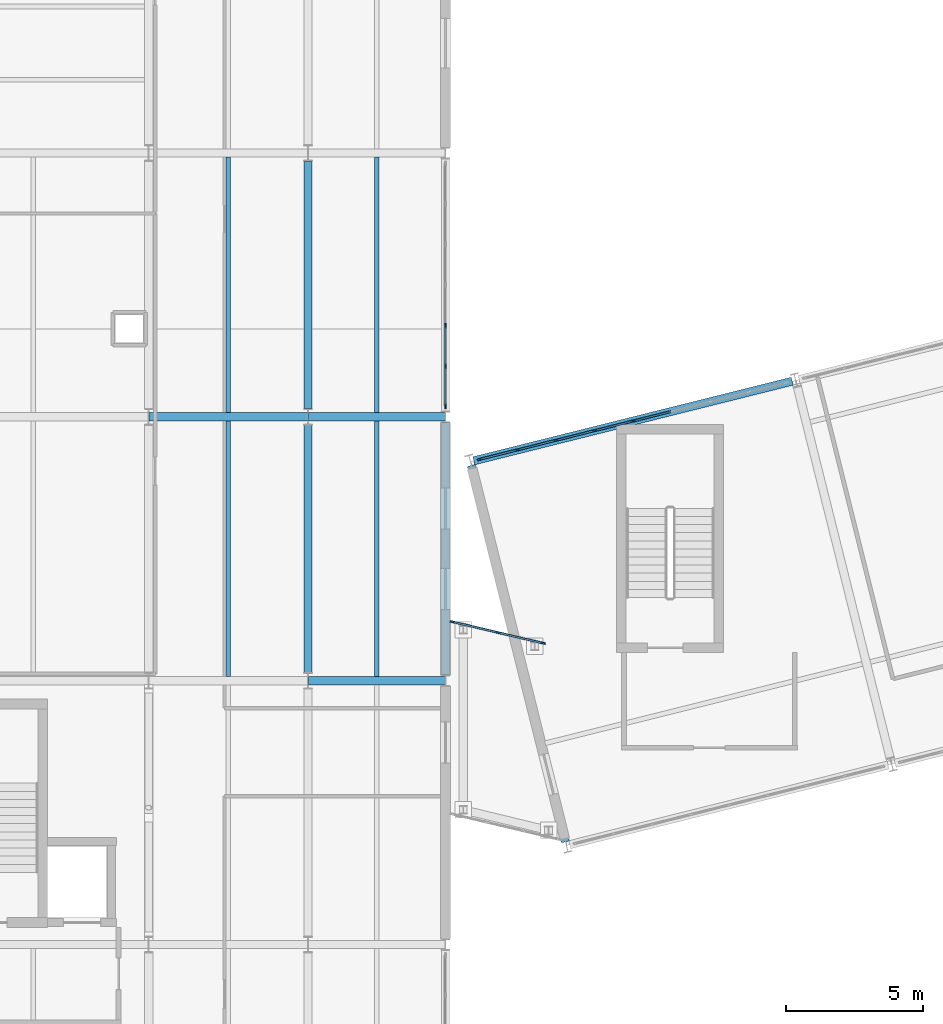
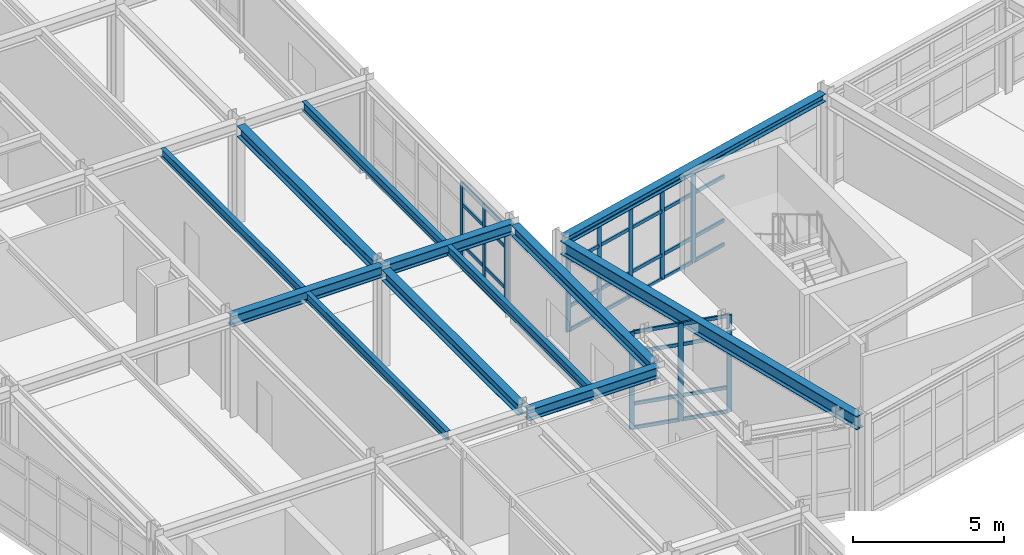
# One storey, part 25 of 99: 47 members, 12 beams, 3 elements without a shape of their own.
"""IFC4 building model written with IfcOpenShell, lengths in metres."""

from ifc_helpers import new_model, si_unit, direction, frame, origin, origin_2d, place, context, subcontext, project, spatial, rectangle, i_section, extrude, material, layer, layer_set, material_profile, profile_set, type_object, element, aggregate, save


model = new_model("IFC4")

# Units and contexts
model_context = context("Model", 3, precision=1e-05, world=origin(), true_north=direction((0.0, 1.0)))
body_context = subcontext(model_context, "Body", "Model", "MODEL_VIEW")
ifc_project = project(units=[si_unit("LENGTHUNIT", "METRE"), si_unit("AREAUNIT", "SQUARE_METRE"), si_unit("VOLUMEUNIT", "CUBIC_METRE"), si_unit("PLANEANGLEUNIT", "RADIAN"), si_unit("MASSUNIT", "GRAM", prefix="KILO")], contexts=[model_context])

# Site, building, storey
site_placement = place(None, origin())
site = spatial("IfcSite", under=ifc_project, at=site_placement, CompositionType="ELEMENT")
building_placement = place(site_placement, origin())
building = spatial("IfcBuilding", under=site, at=building_placement, Name="Nordkorset Police Headquarters", CompositionType="ELEMENT")
storey_placement = place(building_placement, frame((0.0, 0.0, 5.25)))
storey = spatial("IfcBuildingStorey", under=building, at=storey_placement, Name="L01", CompositionType="ELEMENT", Elevation=5.25)

# Beams
ifc_material_1 = material(Name="Steel S355J2", Category="steel")
ifc_material_profile_1 = material_profile(ifc_material_1, i_section(OverallWidth=0.169921875, OverallDepth=0.360107421875, WebThickness=0.008056640625, FlangeThickness=0.0126953125, FilletRadius=0.01806640625, at=origin_2d()), Name="IPE 360")
ifc_profile_set_1 = profile_set([ifc_material_profile_1], Name="Steel S355J2")
beam_type_1 = type_object("IfcBeamType", Name="Beam_IPE_360", PredefinedType="BEAM", material=ifc_profile_set_1)
for number, where, z_axis, x_axis, name in (
    (1, (11.300048828125, 48.14990234375, 3.780029296875), (0.0, 1.0, 0.0), (-1.0, 0.0, 0.0), "Composite Floor Beam V3 L01 1-2-1"),
    (2, (11.300048828125, 57.75, 3.780029296875), (0.0, 1.0, 0.0), (-1.0, 0.0, 0.0), "Composite Floor Beam V3 L01 1-3-1"),
    (3, (16.699951171875, 48.14990234375, 3.780029296875), (0.0, 1.0, 0.0), (-1.0, 0.0, 0.0), "Composite Floor Beam V3 L01 2-2-1"),
    (4, (16.699951171875, 57.75, 3.780029296875), (0.0, 1.0, 0.0), (-1.0, 0.0, 0.0), "Composite Floor Beam V3 L01 2-3-1"),
):
    element("IfcBeam", number, at=place(storey_placement, frame(where, z_axis=z_axis, x_axis=x_axis)), inside=storey, type_object=beam_type_1, Name=name, PredefinedType="BEAM", context=body_context, shape_type="SweptSolid", body=[
        extrude(i_section(OverallWidth=0.169921875, OverallDepth=0.360107421875, WebThickness=0.008056640625, FlangeThickness=0.0126953125, FilletRadius=0.01806640625, at=origin_2d()), origin(), (0.0, 0.0, 1.0), 9.300048828125),
    ])

# Curtain wall, members
ifc_material_2 = material(Name="Aluminium alloy AW-6060", Category="aluminium")
ifc_layer_1 = layer(ifc_material_2, 0.179931640625, Name="Aluminium alloy AW-6060")
ifc_layer_set_1 = layer_set([ifc_layer_1], Name="Aluminium alloy AW-6060")
curtain_wall_type_1 = type_object("IfcCurtainWallType", Name="CW_Unit_888x350", PredefinedType="USERDEFINED", material=ifc_layer_set_1)
curtain_wall_1_placement = place(storey_placement, origin())
curtain_wall_1 = element("IfcCurtainWall", 5, at=curtain_wall_1_placement, inside=storey, type_object=curtain_wall_type_1, Name="Unitised Curtain Wall L01 V3E-3", ObjectType="UNITISED CURTAIN WALL", PredefinedType="USERDEFINED")
ifc_material_3 = material(Name="Aluminium alloy AW-6060", Category="aluminium")
ifc_material_profile_2 = material_profile(ifc_material_3, rectangle(XDim=0.06494140625, YDim=0.179931640625, at=origin_2d()), Name="ALU MULL 65x180")
ifc_profile_set_2 = profile_set([ifc_material_profile_2], Name="Aluminium alloy AW-6060")
member_type_1 = type_object("IfcMemberType", Name="CW_Mullion_65x180", PredefinedType="MULLION", material=ifc_profile_set_2)
member_1_placement = place(storey_placement, frame((19.199951171875, 57.992431640625, 0.0), z_axis=(0.0, 0.0, 1.0), x_axis=(-1.0, 0.0, 0.0)))
member_1 = element("IfcMember", 6, at=member_1_placement, type_object=member_type_1, Name="CW-95 mullion 1", PredefinedType="MULLION", context=body_context, shape_type="SweptSolid", body=[
    extrude(rectangle(XDim=0.06494140625, YDim=0.179931640625, at=origin_2d()), origin(), (0.0, 0.0, 1.0), 3.5),
])
member_2_placement = place(storey_placement, frame((19.199951171875, 59.43994140625, 0.0), z_axis=(0.0, 0.0, 1.0), x_axis=(-1.0, 0.0, 0.0)))
member_2 = element("IfcMember", 7, at=member_2_placement, type_object=member_type_1, Name="CW-95 mullion 2", PredefinedType="MULLION", context=body_context, shape_type="SweptSolid", body=[
    extrude(rectangle(XDim=0.06494140625, YDim=0.179931640625, at=origin_2d()), origin(), (0.0, 0.0, 1.0), 3.5),
])
member_3_placement = place(storey_placement, frame((19.199951171875, 60.919921875, 0.0), z_axis=(0.0, 0.0, 1.0), x_axis=(-1.0, 0.0, 0.0)))
member_3 = element("IfcMember", 8, at=member_3_placement, type_object=member_type_1, Name="CW-95 mullion 3", PredefinedType="MULLION", context=body_context, shape_type="SweptSolid", body=[
    extrude(rectangle(XDim=0.06494140625, YDim=0.179931640625, at=origin_2d()), origin(), (0.0, 0.0, 1.0), 3.5),
])

ifc_material_4 = material(Name="Aluminium alloy AW-6060", Category="aluminium")
ifc_layer_2 = layer(ifc_material_4, 0.179931640625, Name="Aluminium alloy AW-6060")
ifc_layer_set_2 = layer_set([ifc_layer_2], Name="Aluminium alloy AW-6060")
curtain_wall_type_2 = type_object("IfcCurtainWallType", Name="CW_Unit_1156x363", PredefinedType="USERDEFINED", material=ifc_layer_set_2)
curtain_wall_2_placement = place(storey_placement, origin())
curtain_wall_2 = element("IfcCurtainWall", 9, at=curtain_wall_2_placement, inside=storey, type_object=curtain_wall_type_2, Name="Unitised Curtain Wall L01 V4N-0", ObjectType="UNITISED CURTAIN WALL", PredefinedType="USERDEFINED")
member_4_placement = place(storey_placement, frame((20.449462890625, 56.0556640625, 0.0), z_axis=(0.0, 0.0, 1.0), x_axis=(-0.242536235663, 0.970142347489, 0.0)))
member_4 = element("IfcMember", 10, at=member_4_placement, type_object=member_type_1, Name="CW-01 mullion 1", PredefinedType="MULLION", context=body_context, shape_type="SweptSolid", body=[
    extrude(rectangle(XDim=0.06494140625, YDim=0.179931640625, at=origin_2d()), origin(), (0.0, 0.0, 1.0), 3.6298828125),
])
member_5_placement = place(storey_placement, frame((21.81982421875, 56.398193359375, 0.0), z_axis=(0.0, 0.0, 1.0), x_axis=(-0.242536235663, 0.970142347489, 0.0)))
member_5 = element("IfcMember", 11, at=member_5_placement, type_object=member_type_1, Name="CW-01 mullion 2", PredefinedType="MULLION", context=body_context, shape_type="SweptSolid", body=[
    extrude(rectangle(XDim=0.06494140625, YDim=0.179931640625, at=origin_2d()), origin(), (0.0, 0.0, 1.0), 3.6298828125),
])
member_6_placement = place(storey_placement, frame((23.2216796875, 56.74853515625, 0.0), z_axis=(0.0, 0.0, 1.0), x_axis=(-0.242536235663, 0.970142347489, 0.0)))
member_6 = element("IfcMember", 12, at=member_6_placement, type_object=member_type_1, Name="CW-01 mullion 3", PredefinedType="MULLION", context=body_context, shape_type="SweptSolid", body=[
    extrude(rectangle(XDim=0.06494140625, YDim=0.179931640625, at=origin_2d()), origin(), (0.0, 0.0, 1.0), 3.6298828125),
])
member_7_placement = place(storey_placement, frame((24.62353515625, 57.09912109375, 0.0), z_axis=(0.0, 0.0, 1.0), x_axis=(-0.242536235663, 0.970142347489, 0.0)))
member_7 = element("IfcMember", 13, at=member_7_placement, type_object=member_type_1, Name="CW-01 mullion 4", PredefinedType="MULLION", context=body_context, shape_type="SweptSolid", body=[
    extrude(rectangle(XDim=0.06494140625, YDim=0.179931640625, at=origin_2d()), origin(), (0.0, 0.0, 1.0), 3.6298828125),
])
member_8_placement = place(storey_placement, frame((26.025390625, 57.449462890625, 0.0), z_axis=(0.0, 0.0, 1.0), x_axis=(-0.242536235663, 0.970142347489, 0.0)))
member_8 = element("IfcMember", 14, at=member_8_placement, type_object=member_type_1, Name="CW-01 mullion 5", PredefinedType="MULLION", context=body_context, shape_type="SweptSolid", body=[
    extrude(rectangle(XDim=0.06494140625, YDim=0.179931640625, at=origin_2d()), origin(), (0.0, 0.0, 1.0), 3.6298828125),
])

ifc_material_5 = material(Name="Aluminium alloy AW-6060", Category="aluminium")
ifc_layer_3 = layer(ifc_material_5, 0.179931640625, Name="Aluminium alloy AW-6060")
ifc_layer_set_3 = layer_set([ifc_layer_3], Name="Aluminium alloy AW-6060")
curtain_wall_type_3 = type_object("IfcCurtainWallType", Name="CW_Unit_344x392", PredefinedType="USERDEFINED", material=ifc_layer_set_3)
curtain_wall_3_placement = place(storey_placement, origin())
curtain_wall_3 = element("IfcCurtainWall", 15, at=curtain_wall_3_placement, inside=storey, type_object=curtain_wall_type_3, Name="Unitised Curtain Wall L01 BRGW-N", ObjectType="UNITISED CURTAIN WALL", PredefinedType="USERDEFINED")
member_9_placement = place(storey_placement, frame((19.456787109375, 50.141357421875, 0.0), z_axis=(0.0, 0.0, 1.0), x_axis=(0.228892896387, 0.973451612554, 0.0)))
member_9 = element("IfcMember", 16, at=member_9_placement, type_object=member_type_1, Name="CW-51 mullion 1", PredefinedType="MULLION", context=body_context, shape_type="SweptSolid", body=[
    extrude(rectangle(XDim=0.06494140625, YDim=0.179931640625, at=origin_2d()), origin(), (0.0, 0.0, 1.0), 3.919921875),
])
member_10_placement = place(storey_placement, frame((21.10009765625, 49.7548828125, 0.0), z_axis=(0.0, 0.0, 1.0), x_axis=(0.228892896387, 0.973451612554, 0.0)))
member_10 = element("IfcMember", 17, at=member_10_placement, type_object=member_type_1, Name="CW-51 mullion 2", PredefinedType="MULLION", context=body_context, shape_type="SweptSolid", body=[
    extrude(rectangle(XDim=0.06494140625, YDim=0.179931640625, at=origin_2d()), origin(), (0.0, 0.0, 1.0), 3.919921875),
])
member_11_placement = place(storey_placement, frame((22.7431640625, 49.36865234375, 0.0), z_axis=(0.0, 0.0, 1.0), x_axis=(0.228892896387, 0.973451612554, 0.0)))
member_11 = element("IfcMember", 18, at=member_11_placement, type_object=member_type_1, Name="CW-51 mullion 3", PredefinedType="MULLION", context=body_context, shape_type="SweptSolid", body=[
    extrude(rectangle(XDim=0.06494140625, YDim=0.179931640625, at=origin_2d()), origin(), (0.0, 0.0, 1.0), 3.919921875),
])

# Member
ifc_material_6 = material(Name="Aluminium alloy AW-6060", Category="aluminium")
ifc_material_profile_3 = material_profile(ifc_material_6, rectangle(XDim=0.06494140625, YDim=0.139892578125, at=origin_2d()), Name="ALU TRAN 65x140")
ifc_profile_set_3 = profile_set([ifc_material_profile_3], Name="Aluminium alloy AW-6060")
member_type_2 = type_object("IfcMemberType", Name="CW_Transom_65x140", PredefinedType="USERDEFINED", material=ifc_profile_set_3)
member_12_placement = place(storey_placement, frame((19.199951171875, 58.02490234375, 0.032470703125), z_axis=(0.0, 1.0, 0.0), x_axis=(-1.0, 0.0, 0.0)))
member_12 = element("IfcMember", 19, at=member_12_placement, type_object=member_type_2, Name="CW-95 transom 1.1", ObjectType="TRANSOM", PredefinedType="USERDEFINED", context=body_context, shape_type="SweptSolid", body=[
    extrude(rectangle(XDim=0.06494140625, YDim=0.139892578125, at=origin_2d()), origin(), (0.0, 0.0, 1.0), 1.382568359375),
])

member_13_placement = place(storey_placement, frame((19.199951171875, 58.02490234375, 1.0), z_axis=(0.0, 1.0, 0.0), x_axis=(-1.0, 0.0, 0.0)))
member_13 = element("IfcMember", 20, at=member_13_placement, type_object=member_type_2, Name="CW-95 transom 1.2", ObjectType="TRANSOM", PredefinedType="USERDEFINED", context=body_context, shape_type="SweptSolid", body=[
    extrude(rectangle(XDim=0.06494140625, YDim=0.139892578125, at=origin_2d()), origin(), (0.0, 0.0, 1.0), 1.382568359375),
])

member_14_placement = place(storey_placement, frame((19.199951171875, 58.02490234375, 2.64990234375), z_axis=(0.0, 1.0, 0.0), x_axis=(-1.0, 0.0, 0.0)))
member_14 = element("IfcMember", 21, at=member_14_placement, type_object=member_type_2, Name="CW-95 transom 1.3", ObjectType="TRANSOM", PredefinedType="USERDEFINED", context=body_context, shape_type="SweptSolid", body=[
    extrude(rectangle(XDim=0.06494140625, YDim=0.139892578125, at=origin_2d()), origin(), (0.0, 0.0, 1.0), 1.382568359375),
])

member_15_placement = place(storey_placement, frame((19.199951171875, 58.02490234375, 3.467529296875), z_axis=(0.0, 1.0, 0.0), x_axis=(-1.0, 0.0, 0.0)))
member_15 = element("IfcMember", 22, at=member_15_placement, type_object=member_type_2, Name="CW-95 transom 1.4", ObjectType="TRANSOM", PredefinedType="USERDEFINED", context=body_context, shape_type="SweptSolid", body=[
    extrude(rectangle(XDim=0.06494140625, YDim=0.139892578125, at=origin_2d()), origin(), (0.0, 0.0, 1.0), 1.382568359375),
])

member_16_placement = place(storey_placement, frame((19.199951171875, 59.472412109375, 0.032470703125), z_axis=(0.0, 1.0, 0.0), x_axis=(-1.0, 0.0, 0.0)))
member_16 = element("IfcMember", 23, at=member_16_placement, type_object=member_type_2, Name="CW-95 transom 2.1", ObjectType="TRANSOM", PredefinedType="USERDEFINED", context=body_context, shape_type="SweptSolid", body=[
    extrude(rectangle(XDim=0.06494140625, YDim=0.139892578125, at=origin_2d()), origin(), (0.0, 0.0, 1.0), 1.4150390625),
])

member_17_placement = place(storey_placement, frame((19.199951171875, 59.472412109375, 1.0), z_axis=(0.0, 1.0, 0.0), x_axis=(-1.0, 0.0, 0.0)))
member_17 = element("IfcMember", 24, at=member_17_placement, type_object=member_type_2, Name="CW-95 transom 2.2", ObjectType="TRANSOM", PredefinedType="USERDEFINED", context=body_context, shape_type="SweptSolid", body=[
    extrude(rectangle(XDim=0.06494140625, YDim=0.139892578125, at=origin_2d()), origin(), (0.0, 0.0, 1.0), 1.4150390625),
])

member_18_placement = place(storey_placement, frame((19.199951171875, 59.472412109375, 2.64990234375), z_axis=(0.0, 1.0, 0.0), x_axis=(-1.0, 0.0, 0.0)))
member_18 = element("IfcMember", 25, at=member_18_placement, type_object=member_type_2, Name="CW-95 transom 2.3", ObjectType="TRANSOM", PredefinedType="USERDEFINED", context=body_context, shape_type="SweptSolid", body=[
    extrude(rectangle(XDim=0.06494140625, YDim=0.139892578125, at=origin_2d()), origin(), (0.0, 0.0, 1.0), 1.4150390625),
])

member_19_placement = place(storey_placement, frame((19.199951171875, 59.472412109375, 3.467529296875), z_axis=(0.0, 1.0, 0.0), x_axis=(-1.0, 0.0, 0.0)))
member_19 = element("IfcMember", 26, at=member_19_placement, type_object=member_type_2, Name="CW-95 transom 2.4", ObjectType="TRANSOM", PredefinedType="USERDEFINED", context=body_context, shape_type="SweptSolid", body=[
    extrude(rectangle(XDim=0.06494140625, YDim=0.139892578125, at=origin_2d()), origin(), (0.0, 0.0, 1.0), 1.4150390625),
])

aggregate(curtain_wall_1, [member_1, member_2, member_3, member_12, member_13, member_14, member_15, member_16, member_17, member_18, member_19])

member_20_placement = place(storey_placement, frame((20.48095703125, 56.0634765625, 0.032470703125), z_axis=(0.970174463193, 0.242407737022, 0.0), x_axis=(-0.242407737022, 0.970174463193, 0.0)))
member_20 = element("IfcMember", 27, at=member_20_placement, type_object=member_type_2, Name="CW-01 transom 1.1", ObjectType="TRANSOM", PredefinedType="USERDEFINED", context=body_context, shape_type="SweptSolid", body=[
    extrude(rectangle(XDim=0.06494140625, YDim=0.139892578125, at=origin_2d()), origin(), (0.0, 0.0, 1.0), 1.34765625),
])

member_21_placement = place(storey_placement, frame((20.48095703125, 56.0634765625, 1.0), z_axis=(0.970174463193, 0.242407737022, 0.0), x_axis=(-0.242407737022, 0.970174463193, 0.0)))
member_21 = element("IfcMember", 28, at=member_21_placement, type_object=member_type_2, Name="CW-01 transom 1.2", ObjectType="TRANSOM", PredefinedType="USERDEFINED", context=body_context, shape_type="SweptSolid", body=[
    extrude(rectangle(XDim=0.06494140625, YDim=0.139892578125, at=origin_2d()), origin(), (0.0, 0.0, 1.0), 1.34765625),
])

member_22_placement = place(storey_placement, frame((20.48095703125, 56.0634765625, 2.780029296875), z_axis=(0.970174463193, 0.242407737022, 0.0), x_axis=(-0.242407737022, 0.970174463193, 0.0)))
member_22 = element("IfcMember", 29, at=member_22_placement, type_object=member_type_2, Name="CW-01 transom 1.3", ObjectType="TRANSOM", PredefinedType="USERDEFINED", context=body_context, shape_type="SweptSolid", body=[
    extrude(rectangle(XDim=0.06494140625, YDim=0.139892578125, at=origin_2d()), origin(), (0.0, 0.0, 1.0), 1.34765625),
])

member_23_placement = place(storey_placement, frame((20.48095703125, 56.0634765625, 3.597412109375), z_axis=(0.970174463193, 0.242407737022, 0.0), x_axis=(-0.242407737022, 0.970174463193, 0.0)))
member_23 = element("IfcMember", 30, at=member_23_placement, type_object=member_type_2, Name="CW-01 transom 1.4", ObjectType="TRANSOM", PredefinedType="USERDEFINED", context=body_context, shape_type="SweptSolid", body=[
    extrude(rectangle(XDim=0.06494140625, YDim=0.139892578125, at=origin_2d()), origin(), (0.0, 0.0, 1.0), 1.34765625),
])

member_24_placement = place(storey_placement, frame((21.851318359375, 56.406005859375, 0.032470703125), z_axis=(0.970142500145, 0.242535625036, 0.0), x_axis=(-0.242535625036, 0.970142500145, 0.0)))
member_24 = element("IfcMember", 31, at=member_24_placement, type_object=member_type_2, Name="CW-01 transom 2.1", ObjectType="TRANSOM", PredefinedType="USERDEFINED", context=body_context, shape_type="SweptSolid", body=[
    extrude(rectangle(XDim=0.06494140625, YDim=0.139892578125, at=origin_2d()), origin(), (0.0, 0.0, 1.0), 1.380126953125),
])

member_25_placement = place(storey_placement, frame((21.851318359375, 56.406005859375, 1.0), z_axis=(0.970142500145, 0.242535625036, 0.0), x_axis=(-0.242535625036, 0.970142500145, 0.0)))
member_25 = element("IfcMember", 32, at=member_25_placement, type_object=member_type_2, Name="CW-01 transom 2.2", ObjectType="TRANSOM", PredefinedType="USERDEFINED", context=body_context, shape_type="SweptSolid", body=[
    extrude(rectangle(XDim=0.06494140625, YDim=0.139892578125, at=origin_2d()), origin(), (0.0, 0.0, 1.0), 1.380126953125),
])

member_26_placement = place(storey_placement, frame((21.851318359375, 56.406005859375, 2.780029296875), z_axis=(0.970142500145, 0.242535625036, 0.0), x_axis=(-0.242535625036, 0.970142500145, 0.0)))
member_26 = element("IfcMember", 33, at=member_26_placement, type_object=member_type_2, Name="CW-01 transom 2.3", ObjectType="TRANSOM", PredefinedType="USERDEFINED", context=body_context, shape_type="SweptSolid", body=[
    extrude(rectangle(XDim=0.06494140625, YDim=0.139892578125, at=origin_2d()), origin(), (0.0, 0.0, 1.0), 1.380126953125),
])

member_27_placement = place(storey_placement, frame((21.851318359375, 56.406005859375, 3.597412109375), z_axis=(0.970142500145, 0.242535625036, 0.0), x_axis=(-0.242535625036, 0.970142500145, 0.0)))
member_27 = element("IfcMember", 34, at=member_27_placement, type_object=member_type_2, Name="CW-01 transom 2.4", ObjectType="TRANSOM", PredefinedType="USERDEFINED", context=body_context, shape_type="SweptSolid", body=[
    extrude(rectangle(XDim=0.06494140625, YDim=0.139892578125, at=origin_2d()), origin(), (0.0, 0.0, 1.0), 1.380126953125),
])

member_28_placement = place(storey_placement, frame((23.253173828125, 56.756591796875, 0.032470703125), z_axis=(0.970184112154, 0.242369116275, 0.0), x_axis=(-0.242369116275, 0.970184112154, 0.0)))
member_28 = element("IfcMember", 35, at=member_28_placement, type_object=member_type_2, Name="CW-01 transom 3.1", ObjectType="TRANSOM", PredefinedType="USERDEFINED", context=body_context, shape_type="SweptSolid", body=[
    extrude(rectangle(XDim=0.06494140625, YDim=0.139892578125, at=origin_2d()), origin(), (0.0, 0.0, 1.0), 1.380126953125),
])

member_29_placement = place(storey_placement, frame((23.253173828125, 56.756591796875, 1.0), z_axis=(0.970184112154, 0.242369116275, 0.0), x_axis=(-0.242369116275, 0.970184112154, 0.0)))
member_29 = element("IfcMember", 36, at=member_29_placement, type_object=member_type_2, Name="CW-01 transom 3.2", ObjectType="TRANSOM", PredefinedType="USERDEFINED", context=body_context, shape_type="SweptSolid", body=[
    extrude(rectangle(XDim=0.06494140625, YDim=0.139892578125, at=origin_2d()), origin(), (0.0, 0.0, 1.0), 1.380126953125),
])

member_30_placement = place(storey_placement, frame((23.253173828125, 56.756591796875, 2.780029296875), z_axis=(0.970184112154, 0.242369116275, 0.0), x_axis=(-0.242369116275, 0.970184112154, 0.0)))
member_30 = element("IfcMember", 37, at=member_30_placement, type_object=member_type_2, Name="CW-01 transom 3.3", ObjectType="TRANSOM", PredefinedType="USERDEFINED", context=body_context, shape_type="SweptSolid", body=[
    extrude(rectangle(XDim=0.06494140625, YDim=0.139892578125, at=origin_2d()), origin(), (0.0, 0.0, 1.0), 1.380126953125),
])

member_31_placement = place(storey_placement, frame((23.253173828125, 56.756591796875, 3.597412109375), z_axis=(0.970184112154, 0.242369116275, 0.0), x_axis=(-0.242369116275, 0.970184112154, 0.0)))
member_31 = element("IfcMember", 38, at=member_31_placement, type_object=member_type_2, Name="CW-01 transom 3.4", ObjectType="TRANSOM", PredefinedType="USERDEFINED", context=body_context, shape_type="SweptSolid", body=[
    extrude(rectangle(XDim=0.06494140625, YDim=0.139892578125, at=origin_2d()), origin(), (0.0, 0.0, 1.0), 1.380126953125),
])

member_32_placement = place(storey_placement, frame((24.655029296875, 57.10693359375, 0.032470703125), z_axis=(0.970142500145, 0.242535625036, 0.0), x_axis=(-0.242535625036, 0.970142500145, 0.0)))
member_32 = element("IfcMember", 39, at=member_32_placement, type_object=member_type_2, Name="CW-01 transom 4.1", ObjectType="TRANSOM", PredefinedType="USERDEFINED", context=body_context, shape_type="SweptSolid", body=[
    extrude(rectangle(XDim=0.06494140625, YDim=0.139892578125, at=origin_2d()), origin(), (0.0, 0.0, 1.0), 1.380126953125),
])

member_33_placement = place(storey_placement, frame((24.655029296875, 57.10693359375, 1.0), z_axis=(0.970142500145, 0.242535625036, 0.0), x_axis=(-0.242535625036, 0.970142500145, 0.0)))
member_33 = element("IfcMember", 40, at=member_33_placement, type_object=member_type_2, Name="CW-01 transom 4.2", ObjectType="TRANSOM", PredefinedType="USERDEFINED", context=body_context, shape_type="SweptSolid", body=[
    extrude(rectangle(XDim=0.06494140625, YDim=0.139892578125, at=origin_2d()), origin(), (0.0, 0.0, 1.0), 1.380126953125),
])

member_34_placement = place(storey_placement, frame((24.655029296875, 57.10693359375, 2.780029296875), z_axis=(0.970142500145, 0.242535625036, 0.0), x_axis=(-0.242535625036, 0.970142500145, 0.0)))
member_34 = element("IfcMember", 41, at=member_34_placement, type_object=member_type_2, Name="CW-01 transom 4.3", ObjectType="TRANSOM", PredefinedType="USERDEFINED", context=body_context, shape_type="SweptSolid", body=[
    extrude(rectangle(XDim=0.06494140625, YDim=0.139892578125, at=origin_2d()), origin(), (0.0, 0.0, 1.0), 1.380126953125),
])

member_35_placement = place(storey_placement, frame((24.655029296875, 57.10693359375, 3.597412109375), z_axis=(0.970142500145, 0.242535625036, 0.0), x_axis=(-0.242535625036, 0.970142500145, 0.0)))
member_35 = element("IfcMember", 42, at=member_35_placement, type_object=member_type_2, Name="CW-01 transom 4.4", ObjectType="TRANSOM", PredefinedType="USERDEFINED", context=body_context, shape_type="SweptSolid", body=[
    extrude(rectangle(XDim=0.06494140625, YDim=0.139892578125, at=origin_2d()), origin(), (0.0, 0.0, 1.0), 1.380126953125),
])

member_36_placement = place(storey_placement, frame((26.056884765625, 57.45751953125, 0.032470703125), z_axis=(0.970184112154, 0.242369116275, 0.0), x_axis=(-0.242369116275, 0.970184112154, 0.0)))
member_36 = element("IfcMember", 43, at=member_36_placement, type_object=member_type_2, Name="CW-01 transom 5.1", ObjectType="TRANSOM", PredefinedType="USERDEFINED", context=body_context, shape_type="SweptSolid", body=[
    extrude(rectangle(XDim=0.06494140625, YDim=0.139892578125, at=origin_2d()), origin(), (0.0, 0.0, 1.0), 1.380126953125),
])

member_37_placement = place(storey_placement, frame((26.056884765625, 57.45751953125, 1.0), z_axis=(0.970184112154, 0.242369116275, 0.0), x_axis=(-0.242369116275, 0.970184112154, 0.0)))
member_37 = element("IfcMember", 44, at=member_37_placement, type_object=member_type_2, Name="CW-01 transom 5.2", ObjectType="TRANSOM", PredefinedType="USERDEFINED", context=body_context, shape_type="SweptSolid", body=[
    extrude(rectangle(XDim=0.06494140625, YDim=0.139892578125, at=origin_2d()), origin(), (0.0, 0.0, 1.0), 1.380126953125),
])

member_38_placement = place(storey_placement, frame((26.056884765625, 57.45751953125, 2.780029296875), z_axis=(0.970184112154, 0.242369116275, 0.0), x_axis=(-0.242369116275, 0.970184112154, 0.0)))
member_38 = element("IfcMember", 45, at=member_38_placement, type_object=member_type_2, Name="CW-01 transom 5.3", ObjectType="TRANSOM", PredefinedType="USERDEFINED", context=body_context, shape_type="SweptSolid", body=[
    extrude(rectangle(XDim=0.06494140625, YDim=0.139892578125, at=origin_2d()), origin(), (0.0, 0.0, 1.0), 1.380126953125),
])

member_39_placement = place(storey_placement, frame((26.056884765625, 57.45751953125, 3.597412109375), z_axis=(0.970184112154, 0.242369116275, 0.0), x_axis=(-0.242369116275, 0.970184112154, 0.0)))
member_39 = element("IfcMember", 46, at=member_39_placement, type_object=member_type_2, Name="CW-01 transom 5.4", ObjectType="TRANSOM", PredefinedType="USERDEFINED", context=body_context, shape_type="SweptSolid", body=[
    extrude(rectangle(XDim=0.06494140625, YDim=0.139892578125, at=origin_2d()), origin(), (0.0, 0.0, 1.0), 1.380126953125),
])

aggregate(curtain_wall_2, [member_4, member_5, member_6, member_7, member_8, member_20, member_21, member_22, member_23, member_24, member_25, member_26, member_27, member_28, member_29, member_30, member_31, member_32, member_33, member_34, member_35, member_36, member_37, member_38, member_39])

member_40_placement = place(storey_placement, frame((19.488525390625, 50.134033203125, 0.032470703125), z_axis=(0.973436893335, -0.228955486271, 0.0), x_axis=(0.228955486271, 0.973436893335, 0.0)))
member_40 = element("IfcMember", 47, at=member_40_placement, type_object=member_type_2, Name="CW-51 transom 1.1", ObjectType="TRANSOM", PredefinedType="USERDEFINED", context=body_context, shape_type="SweptSolid", body=[
    extrude(rectangle(XDim=0.06494140625, YDim=0.139892578125, at=origin_2d()), origin(), (0.0, 0.0, 1.0), 1.623046875),
])

member_41_placement = place(storey_placement, frame((19.488525390625, 50.134033203125, 1.0), z_axis=(0.973436893335, -0.228955486271, 0.0), x_axis=(0.228955486271, 0.973436893335, 0.0)))
member_41 = element("IfcMember", 48, at=member_41_placement, type_object=member_type_2, Name="CW-51 transom 1.2", ObjectType="TRANSOM", PredefinedType="USERDEFINED", context=body_context, shape_type="SweptSolid", body=[
    extrude(rectangle(XDim=0.06494140625, YDim=0.139892578125, at=origin_2d()), origin(), (0.0, 0.0, 1.0), 1.623046875),
])

member_42_placement = place(storey_placement, frame((19.488525390625, 50.134033203125, 3.070068359375), z_axis=(0.973436893335, -0.228955486271, 0.0), x_axis=(0.228955486271, 0.973436893335, 0.0)))
member_42 = element("IfcMember", 49, at=member_42_placement, type_object=member_type_2, Name="CW-51 transom 1.3", ObjectType="TRANSOM", PredefinedType="USERDEFINED", context=body_context, shape_type="SweptSolid", body=[
    extrude(rectangle(XDim=0.06494140625, YDim=0.139892578125, at=origin_2d()), origin(), (0.0, 0.0, 1.0), 1.623046875),
])

member_43_placement = place(storey_placement, frame((19.488525390625, 50.134033203125, 3.887451171875), z_axis=(0.973436893335, -0.228955486271, 0.0), x_axis=(0.228955486271, 0.973436893335, 0.0)))
member_43 = element("IfcMember", 50, at=member_43_placement, type_object=member_type_2, Name="CW-51 transom 1.4", ObjectType="TRANSOM", PredefinedType="USERDEFINED", context=body_context, shape_type="SweptSolid", body=[
    extrude(rectangle(XDim=0.06494140625, YDim=0.139892578125, at=origin_2d()), origin(), (0.0, 0.0, 1.0), 1.623046875),
])

member_44_placement = place(storey_placement, frame((21.131591796875, 49.74755859375, 0.032470703125), z_axis=(0.973436893335, -0.228955486271, 0.0), x_axis=(0.228955486271, 0.973436893335, 0.0)))
member_44 = element("IfcMember", 51, at=member_44_placement, type_object=member_type_2, Name="CW-51 transom 2.1", ObjectType="TRANSOM", PredefinedType="USERDEFINED", context=body_context, shape_type="SweptSolid", body=[
    extrude(rectangle(XDim=0.06494140625, YDim=0.139892578125, at=origin_2d()), origin(), (0.0, 0.0, 1.0), 1.623046875),
])

member_45_placement = place(storey_placement, frame((21.131591796875, 49.74755859375, 1.0), z_axis=(0.973436893335, -0.228955486271, 0.0), x_axis=(0.228955486271, 0.973436893335, 0.0)))
member_45 = element("IfcMember", 52, at=member_45_placement, type_object=member_type_2, Name="CW-51 transom 2.2", ObjectType="TRANSOM", PredefinedType="USERDEFINED", context=body_context, shape_type="SweptSolid", body=[
    extrude(rectangle(XDim=0.06494140625, YDim=0.139892578125, at=origin_2d()), origin(), (0.0, 0.0, 1.0), 1.623046875),
])

member_46_placement = place(storey_placement, frame((21.131591796875, 49.74755859375, 3.070068359375), z_axis=(0.973436893335, -0.228955486271, 0.0), x_axis=(0.228955486271, 0.973436893335, 0.0)))
member_46 = element("IfcMember", 53, at=member_46_placement, type_object=member_type_2, Name="CW-51 transom 2.3", ObjectType="TRANSOM", PredefinedType="USERDEFINED", context=body_context, shape_type="SweptSolid", body=[
    extrude(rectangle(XDim=0.06494140625, YDim=0.139892578125, at=origin_2d()), origin(), (0.0, 0.0, 1.0), 1.623046875),
])

member_47_placement = place(storey_placement, frame((21.131591796875, 49.74755859375, 3.887451171875), z_axis=(0.973436893335, -0.228955486271, 0.0), x_axis=(0.228955486271, 0.973436893335, 0.0)))
member_47 = element("IfcMember", 54, at=member_47_placement, type_object=member_type_2, Name="CW-51 transom 2.4", ObjectType="TRANSOM", PredefinedType="USERDEFINED", context=body_context, shape_type="SweptSolid", body=[
    extrude(rectangle(XDim=0.06494140625, YDim=0.139892578125, at=origin_2d()), origin(), (0.0, 0.0, 1.0), 1.623046875),
])

aggregate(curtain_wall_3, [member_9, member_10, member_11, member_40, member_41, member_42, member_43, member_44, member_45, member_46, member_47])

# Beams
ifc_material_7 = material(Name="Steel S355J2", Category="steel")
ifc_material_profile_4 = material_profile(ifc_material_7, i_section(OverallWidth=0.300048828125, OverallDepth=0.43994140625, WebThickness=0.011474609375, FlangeThickness=0.02099609375, FilletRadius=0.027099609375, at=origin_2d()), Name="HEA 450")
ifc_profile_set_4 = profile_set([ifc_material_profile_4], Name="Steel S355J2")
beam_type_2 = type_object("IfcBeamType", Name="Girder_HEA_450", PredefinedType="USERDEFINED", material=ifc_profile_set_4)
beam_1_placement = place(storey_placement, frame((14.207763671875, 48.0, 3.739990234375), z_axis=(1.0, 0.0, 0.0), x_axis=(0.0, 1.0, 0.0)))
element("IfcBeam", 55, at=beam_1_placement, inside=storey, type_object=beam_type_2, Name="Girder V3 L01 GX-2-2", ObjectType="GIRDER", PredefinedType="USERDEFINED", context=body_context, shape_type="SweptSolid", body=[
    extrude(i_section(OverallWidth=0.300048828125, OverallDepth=0.43994140625, WebThickness=0.011474609375, FlangeThickness=0.02099609375, FilletRadius=0.027099609375, at=origin_2d()), origin(), (0.0, 0.0, 1.0), 4.985595703125),
])
beam_2_placement = place(storey_placement, frame((8.40771484375, 57.60009765625, 3.739990234375), z_axis=(1.0, 0.0, 0.0), x_axis=(0.0, 1.0, 0.0)))
element("IfcBeam", 56, at=beam_2_placement, inside=storey, type_object=beam_type_2, Name="Girder V3 L01 GX-3-1", ObjectType="GIRDER", PredefinedType="USERDEFINED", context=body_context, shape_type="SweptSolid", body=[
    extrude(i_section(OverallWidth=0.300048828125, OverallDepth=0.43994140625, WebThickness=0.011474609375, FlangeThickness=0.02099609375, FilletRadius=0.027099609375, at=origin_2d()), origin(), (0.0, 0.0, 1.0), 5.78466796875),
])
beam_3_placement = place(storey_placement, frame((14.207763671875, 57.60009765625, 3.739990234375), z_axis=(1.0, 0.0, 0.0), x_axis=(0.0, 1.0, 0.0)))
element("IfcBeam", 57, at=beam_3_placement, inside=storey, type_object=beam_type_2, Name="Girder V3 L01 GX-3-2", ObjectType="GIRDER", PredefinedType="USERDEFINED", context=body_context, shape_type="SweptSolid", body=[
    extrude(i_section(OverallWidth=0.300048828125, OverallDepth=0.43994140625, WebThickness=0.011474609375, FlangeThickness=0.02099609375, FilletRadius=0.027099609375, at=origin_2d()), origin(), (0.0, 0.0, 1.0), 4.985595703125),
])
for number, where, z_axis, x_axis, name in (
    (58, (14.199951171875, 48.300048828125, 3.739990234375), (0.0, 1.0, 0.0), (-1.0, 0.0, 0.0), "Girder V3 L01 GY-2-2"),
    (59, (14.199951171875, 57.89990234375, 3.739990234375), (0.0, 1.0, 0.0), (-1.0, 0.0, 0.0), "Girder V3 L01 GY-2-3"),
):
    element("IfcBeam", number, at=place(storey_placement, frame(where, z_axis=z_axis, x_axis=x_axis)), inside=storey, type_object=beam_type_2, Name=name, ObjectType="GIRDER", PredefinedType="USERDEFINED", context=body_context, shape_type="SweptSolid", body=[
        extrude(i_section(OverallWidth=0.300048828125, OverallDepth=0.43994140625, WebThickness=0.011474609375, FlangeThickness=0.02099609375, FilletRadius=0.027099609375, at=origin_2d()), origin(), (0.0, 0.0, 1.0), 9.0),
    ])
beam_4_placement = place(storey_placement, frame((19.199951171875, 48.199951171875, 3.739990234375), z_axis=(0.0, 1.0, 0.0), x_axis=(-1.0, 0.0, 0.0)))
element("IfcBeam", 60, at=beam_4_placement, inside=storey, type_object=beam_type_2, Name="Girder V3 L01 GY-3-2", ObjectType="GIRDER", PredefinedType="USERDEFINED", context=body_context, shape_type="SweptSolid", body=[
    extrude(i_section(OverallWidth=0.300048828125, OverallDepth=0.43994140625, WebThickness=0.011474609375, FlangeThickness=0.02099609375, FilletRadius=0.027099609375, at=origin_2d()), origin(), (0.0, 0.0, 1.0), 9.199951171875),
])
ifc_material_8 = material(Name="Steel S355J2", Category="steel")
ifc_material_profile_5 = material_profile(ifc_material_8, i_section(OverallWidth=0.300048828125, OverallDepth=0.5400390625, WebThickness=0.012451171875, FlangeThickness=0.02392578125, FilletRadius=0.027099609375, at=origin_2d()), Name="HEA 550")
ifc_profile_set_5 = profile_set([ifc_material_profile_5], Name="Steel S355J2")
beam_type_3 = type_object("IfcBeamType", Name="Girder_HEA_550", PredefinedType="USERDEFINED", material=ifc_profile_set_5)
beam_5_placement = place(storey_placement, frame((23.566162109375, 42.1357421875, 3.68994140625), z_axis=(-0.24254782991, 0.970139448845, 0.0), x_axis=(-0.970139448845, -0.24254782991, 0.0)))
element("IfcBeam", 61, at=beam_5_placement, inside=storey, type_object=beam_type_3, Name="Splayed Wing Transverse Girder L01 0", ObjectType="GIRDER", PredefinedType="USERDEFINED", context=body_context, shape_type="SweptSolid", body=[
    extrude(i_section(OverallWidth=0.300048828125, OverallDepth=0.5400390625, WebThickness=0.012451171875, FlangeThickness=0.02392578125, FilletRadius=0.027099609375, at=origin_2d()), origin(), (0.0, 0.0, 1.0), 14.1201171875),
])
ifc_material_9 = material(Name="Steel S355J2", Category="steel")
ifc_material_profile_6 = material_profile(ifc_material_9, i_section(OverallWidth=0.300048828125, OverallDepth=0.31005859375, WebThickness=0.009033203125, FlangeThickness=0.015380859375, FilletRadius=0.027099609375, at=origin_2d()), Name="HEA 320")
ifc_profile_set_6 = profile_set([ifc_material_profile_6], Name="Steel S355J2")
beam_type_4 = type_object("IfcBeamType", Name="Spandrel_HEA_320", PredefinedType="SPANDREL", material=ifc_profile_set_6)
beam_6_placement = place(storey_placement, frame((20.233642578125, 56.00146484375, 3.804931640625), z_axis=(0.970140094539, 0.242545247258, 0.0), x_axis=(-0.242545247258, 0.970140094539, 0.0)))
element("IfcBeam", 62, at=beam_6_placement, inside=storey, type_object=beam_type_4, Name="Splayed Wing Spandrel L01 0-1", PredefinedType="SPANDREL", context=body_context, shape_type="SweptSolid", body=[
    extrude(i_section(OverallWidth=0.300048828125, OverallDepth=0.31005859375, WebThickness=0.009033203125, FlangeThickness=0.015380859375, FilletRadius=0.027099609375, at=origin_2d()), origin(), (0.0, 0.0, 1.0), 11.93994140625),
])

save(model, "model.ifc")
